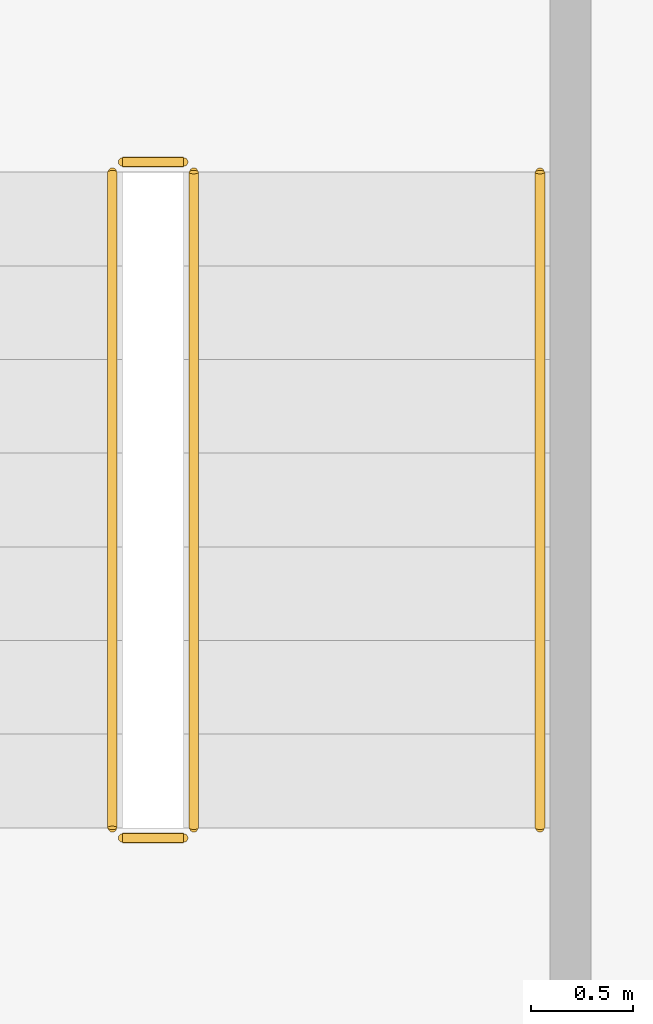
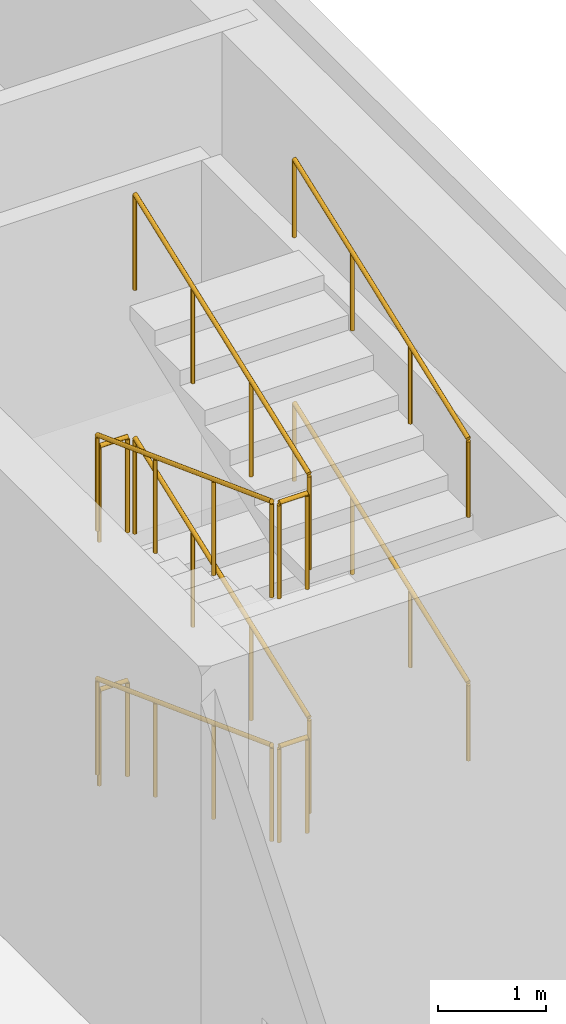
# One storey, part 18 of 22: 10 railings.
"""IFC4 building model written with IfcOpenShell, lengths in metres."""

from ifc_helpers import new_model, si_unit, direction, frame, origin, origin_2d, place, context, subcontext, project, spatial, circle, extrude, material, type_object, element, save


model = new_model("IFC4")

# Units and contexts
model_context = context("Model", 3, precision=1e-05, world=origin(), true_north=direction((0.0, 1.0)))
body_context = subcontext(model_context, "Body", "Model", "MODEL_VIEW")
ifc_project = project(units=[si_unit("LENGTHUNIT", "METRE"), si_unit("AREAUNIT", "SQUARE_METRE"), si_unit("VOLUMEUNIT", "CUBIC_METRE"), si_unit("PLANEANGLEUNIT", "RADIAN"), si_unit("MASSUNIT", "GRAM", prefix="KILO")], contexts=[model_context])

# Site, building, storey
site_placement = place(None, origin())
site = spatial("IfcSite", under=ifc_project, at=site_placement, CompositionType="ELEMENT")
building_placement = place(site_placement, origin())
building = spatial("IfcBuilding", under=site, at=building_placement, Name="Cobrizo Arcos Hotel Tower", CompositionType="ELEMENT")
storey_placement = place(building_placement, frame((0.0, 0.0, 142.5)))
storey = spatial("IfcBuildingStorey", under=building, at=storey_placement, Name="L36", CompositionType="ELEMENT", Elevation=142.5)

# Railings
ifc_material = material(Name="Stainless steel railing", Category="steel")
railing_type_1 = type_object("IfcRailingType", Name="Stair guard 1100", PredefinedType="GUARDRAIL", material=ifc_material)
railing_1_placement = place(storey_placement, frame((17.75, -5.5, 0.171875)))
element("IfcRailing", 1, at=railing_1_placement, inside=storey, type_object=railing_type_1, Name="L36 ST-E stair guard 1", PredefinedType="GUARDRAIL", context=body_context, shape_type="SweptSolid", body=[
    extrude(circle(Radius=0.02392578125, at=origin_2d()), frame((0.0, 0.0, 1.076171875), z_axis=(0.0, -0.936745908249, 0.350010147536), x_axis=(1.0, 0.0, 0.0)), (0.0, 0.0, 1.0), 3.4375),
    extrude(circle(Radius=0.02099609375, at=origin_2d()), origin(), (0.0, 0.0, 1.0), 1.052001953125),
    extrude(circle(Radius=0.02099609375, at=origin_2d()), frame((0.0, -1.0732421875, 0.401123046875)), (0.0, 0.0, 1.0), 1.052001953125),
    extrude(circle(Radius=0.02099609375, at=origin_2d()), frame((0.0, -2.146728515625, 0.802001953125)), (0.0, 0.0, 1.0), 1.052001953125),
    extrude(circle(Radius=0.02099609375, at=origin_2d()), frame((0.0, -3.219970703125, 1.203125)), (0.0, 0.0, 1.0), 1.052001953125),
])
railing_2_placement = place(storey_placement, frame((17.800048828125, -8.77001953125, 1.375)))
element("IfcRailing", 2, at=railing_2_placement, inside=storey, type_object=railing_type_1, Name="L36 ST-E stair guard 2", PredefinedType="GUARDRAIL", context=body_context, shape_type="SweptSolid", body=[
    extrude(circle(Radius=0.02392578125, at=origin_2d()), frame((0.0, 0.0, 1.076171875), z_axis=(1.0, 0.0, 0.0), x_axis=(0.0, 1.0, 0.0)), (0.0, 0.0, 1.0), 0.300048828125),
    extrude(circle(Radius=0.02099609375, at=origin_2d()), origin(), (0.0, 0.0, 1.0), 1.052001953125),
    extrude(circle(Radius=0.02099609375, at=origin_2d()), frame((0.300048828125, 0.0, 0.0)), (0.0, 0.0, 1.0), 1.052001953125),
])
railing_3_placement = place(storey_placement, frame((18.14990234375, -8.719970703125, 1.546875)))
element("IfcRailing", 3, at=railing_3_placement, inside=storey, type_object=railing_type_1, Name="L36 ST-E stair guard 3", PredefinedType="GUARDRAIL", context=body_context, shape_type="SweptSolid", body=[
    extrude(circle(Radius=0.02392578125, at=origin_2d()), frame((0.0, 0.0, 1.076171875), z_axis=(0.0, 0.936745908249, 0.350010147536), x_axis=(-1.0, 0.0, 0.0)), (0.0, 0.0, 1.0), 3.4375),
    extrude(circle(Radius=0.02099609375, at=origin_2d()), origin(), (0.0, 0.0, 1.0), 1.052001953125),
    extrude(circle(Radius=0.02099609375, at=origin_2d()), frame((0.0, 1.0732421875, 0.401123046875)), (0.0, 0.0, 1.0), 1.052001953125),
    extrude(circle(Radius=0.02099609375, at=origin_2d()), frame((0.0, 2.146728515625, 0.802001953125)), (0.0, 0.0, 1.0), 1.052001953125),
    extrude(circle(Radius=0.02099609375, at=origin_2d()), frame((0.0, 3.219970703125, 1.203125)), (0.0, 0.0, 1.0), 1.052001953125),
])
railing_4_placement = place(storey_placement, frame((17.800048828125, -5.449951171875, 2.75)))
element("IfcRailing", 4, at=railing_4_placement, inside=storey, type_object=railing_type_1, Name="L36 ST-E stair guard 4", PredefinedType="GUARDRAIL", context=body_context, shape_type="SweptSolid", body=[
    extrude(circle(Radius=0.02392578125, at=origin_2d()), frame((0.0, 0.0, 1.076171875), z_axis=(1.0, 0.0, 0.0), x_axis=(0.0, 1.0, 0.0)), (0.0, 0.0, 1.0), 0.300048828125),
    extrude(circle(Radius=0.02099609375, at=origin_2d()), origin(), (0.0, 0.0, 1.0), 1.052001953125),
    extrude(circle(Radius=0.02099609375, at=origin_2d()), frame((0.300048828125, 0.0, 0.0)), (0.0, 0.0, 1.0), 1.052001953125),
])
railing_5_placement = place(storey_placement, frame((17.75, -5.5, 2.921875)))
element("IfcRailing", 5, at=railing_5_placement, inside=storey, type_object=railing_type_1, Name="L36 ST-E stair guard 5", PredefinedType="GUARDRAIL", context=body_context, shape_type="SweptSolid", body=[
    extrude(circle(Radius=0.02392578125, at=origin_2d()), frame((0.0, 0.0, 1.076171875), z_axis=(0.0, -0.936745908249, 0.350010147536), x_axis=(1.0, 0.0, 0.0)), (0.0, 0.0, 1.0), 3.4375),
    extrude(circle(Radius=0.02099609375, at=origin_2d()), origin(), (0.0, 0.0, 1.0), 1.052001953125),
    extrude(circle(Radius=0.02099609375, at=origin_2d()), frame((0.0, -1.0732421875, 0.401123046875)), (0.0, 0.0, 1.0), 1.052001953125),
    extrude(circle(Radius=0.02099609375, at=origin_2d()), frame((0.0, -2.146728515625, 0.802001953125)), (0.0, 0.0, 1.0), 1.052001953125),
    extrude(circle(Radius=0.02099609375, at=origin_2d()), frame((0.0, -3.219970703125, 1.203125)), (0.0, 0.0, 1.0), 1.052001953125),
])
railing_6_placement = place(storey_placement, frame((17.800048828125, -8.77001953125, 4.125)))
element("IfcRailing", 6, at=railing_6_placement, inside=storey, type_object=railing_type_1, Name="L36 ST-E stair guard 6", PredefinedType="GUARDRAIL", context=body_context, shape_type="SweptSolid", body=[
    extrude(circle(Radius=0.02392578125, at=origin_2d()), frame((0.0, 0.0, 1.076171875), z_axis=(1.0, 0.0, 0.0), x_axis=(0.0, 1.0, 0.0)), (0.0, 0.0, 1.0), 0.300048828125),
    extrude(circle(Radius=0.02099609375, at=origin_2d()), origin(), (0.0, 0.0, 1.0), 1.052001953125),
    extrude(circle(Radius=0.02099609375, at=origin_2d()), frame((0.300048828125, 0.0, 0.0)), (0.0, 0.0, 1.0), 1.052001953125),
])
railing_7_placement = place(storey_placement, frame((18.14990234375, -8.719970703125, 4.296875)))
element("IfcRailing", 7, at=railing_7_placement, inside=storey, type_object=railing_type_1, Name="L36 ST-E stair guard 7", PredefinedType="GUARDRAIL", context=body_context, shape_type="SweptSolid", body=[
    extrude(circle(Radius=0.02392578125, at=origin_2d()), frame((0.0, 0.0, 1.076171875), z_axis=(0.0, 0.936745908249, 0.350010147536), x_axis=(-1.0, 0.0, 0.0)), (0.0, 0.0, 1.0), 3.4375),
    extrude(circle(Radius=0.02099609375, at=origin_2d()), origin(), (0.0, 0.0, 1.0), 1.052001953125),
    extrude(circle(Radius=0.02099609375, at=origin_2d()), frame((0.0, 1.0732421875, 0.401123046875)), (0.0, 0.0, 1.0), 1.052001953125),
    extrude(circle(Radius=0.02099609375, at=origin_2d()), frame((0.0, 2.146728515625, 0.802001953125)), (0.0, 0.0, 1.0), 1.052001953125),
    extrude(circle(Radius=0.02099609375, at=origin_2d()), frame((0.0, 3.219970703125, 1.203125)), (0.0, 0.0, 1.0), 1.052001953125),
])
railing_8_placement = place(storey_placement, frame((17.800048828125, -5.449951171875, 0.0)))
element("IfcRailing", 8, at=railing_8_placement, inside=storey, type_object=railing_type_1, Name="L36 ST-E stair guard 8", PredefinedType="GUARDRAIL", context=body_context, shape_type="SweptSolid", body=[
    extrude(circle(Radius=0.02392578125, at=origin_2d()), frame((0.0, 0.0, 1.076171875), z_axis=(1.0, 0.0, 0.0), x_axis=(0.0, 1.0, 0.0)), (0.0, 0.0, 1.0), 0.300048828125),
    extrude(circle(Radius=0.02099609375, at=origin_2d()), origin(), (0.0, 0.0, 1.0), 1.052001953125),
    extrude(circle(Radius=0.02099609375, at=origin_2d()), frame((0.300048828125, 0.0, 0.0)), (0.0, 0.0, 1.0), 1.052001953125),
])
railing_type_2 = type_object("IfcRailingType", Name="Stair handrail", PredefinedType="HANDRAIL", material=ifc_material)
for number, where, name in (
    (9, (19.85009765625, -8.719970703125, 1.546875), "L36 ST-E stair handrail 2"),
    (10, (19.85009765625, -8.719970703125, 4.296875), "L36 ST-E stair handrail 4"),
):
    element("IfcRailing", number, at=place(storey_placement, frame(where)), inside=storey, type_object=railing_type_2, Name=name, PredefinedType="HANDRAIL", context=body_context, shape_type="SweptSolid", body=[
        extrude(circle(Radius=0.02392578125, at=origin_2d()), frame((0.0, 0.0, 0.8759765625), z_axis=(0.0, 0.936745908249, 0.350010147536), x_axis=(-1.0, 0.0, 0.0)), (0.0, 0.0, 1.0), 3.4375),
        extrude(circle(Radius=0.02099609375, at=origin_2d()), origin(), (0.0, 0.0, 1.0), 0.851806640625),
        extrude(circle(Radius=0.02099609375, at=origin_2d()), frame((0.0, 1.0732421875, 0.401123046875)), (0.0, 0.0, 1.0), 0.851806640625),
        extrude(circle(Radius=0.02099609375, at=origin_2d()), frame((0.0, 2.146728515625, 0.802001953125)), (0.0, 0.0, 1.0), 0.851806640625),
        extrude(circle(Radius=0.02099609375, at=origin_2d()), frame((0.0, 3.219970703125, 1.203125)), (0.0, 0.0, 1.0), 0.851806640625),
    ])

save(model, "model.ifc")
